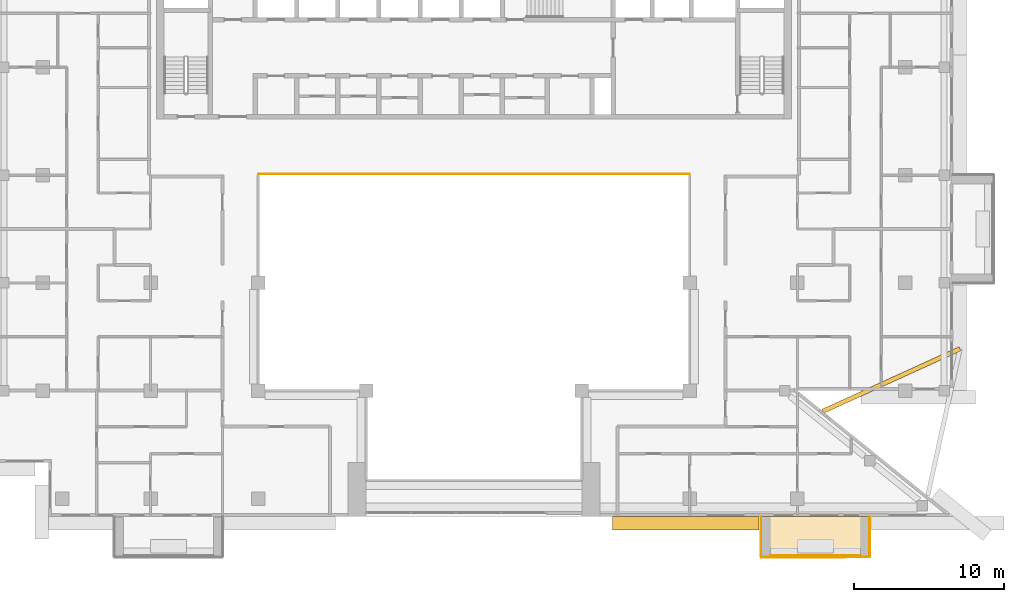
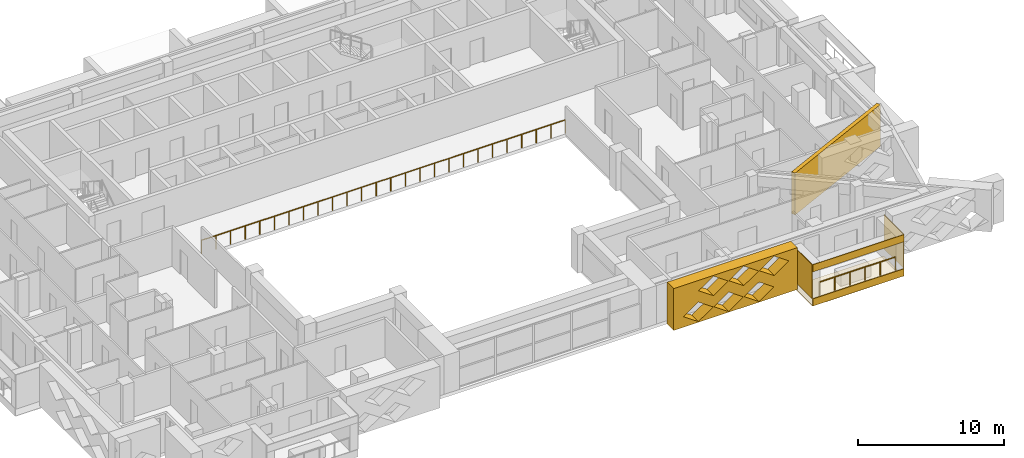
# One storey, part 15 of 19: 7 coverings, 2 railings.
"""IFC4 building model written with IfcOpenShell, lengths in metres."""

from ifc_helpers import new_model, si_unit, direction, frame, origin, origin_2d, place, context, subcontext, project, spatial, polyline, circle, outline, extrude, material, layer, layer_set, type_object, element, save


model = new_model("IFC4")

# Units and contexts
model_context = context("Model", 3, precision=1e-05, world=origin(), true_north=direction((0.0, 1.0)))
body_context = subcontext(model_context, "Body", "Model", "MODEL_VIEW")
ifc_project = project(units=[si_unit("LENGTHUNIT", "METRE"), si_unit("AREAUNIT", "SQUARE_METRE"), si_unit("VOLUMEUNIT", "CUBIC_METRE"), si_unit("PLANEANGLEUNIT", "RADIAN"), si_unit("MASSUNIT", "GRAM", prefix="KILO")], contexts=[model_context])

# Site, building, storey
site_placement = place(None, origin())
site = spatial("IfcSite", under=ifc_project, at=site_placement, CompositionType="ELEMENT")
building_placement = place(site_placement, origin())
building = spatial("IfcBuilding", under=site, at=building_placement, Name="Saffron Iwan Residences", CompositionType="ELEMENT")
storey_placement = place(building_placement, frame((0.0, 0.0, 218.5)))
storey = spatial("IfcBuildingStorey", under=building, at=storey_placement, Name="L58", CompositionType="ELEMENT", Elevation=218.5)

# Railings
ifc_material_1 = material(Name="Stainless steel 316", Category="steel")
railing_type_1 = type_object("IfcRailingType", Name="Atrium guard 1150", PredefinedType="GUARDRAIL", material=ifc_material_1)
railing_1_placement = place(storey_placement, frame((36.0, 62.47509765625, 0.0)))
element("IfcRailing", 1, at=railing_1_placement, inside=storey, type_object=railing_type_1, Name="Atrium guard L58", PredefinedType="GUARDRAIL", context=body_context, shape_type="SweptSolid", body=[
    extrude(circle(Radius=0.02392578125, at=origin_2d()), frame((0.0, 0.0, 1.1259765625), z_axis=(1.0, 0.0, 0.0), x_axis=(0.0, 1.0, 0.0)), (0.0, 0.0, 1.0), 28.800048828125),
    extrude(circle(Radius=0.02099609375, at=origin_2d()), origin(), (0.0, 0.0, 1.0), 1.101806640625),
    extrude(circle(Radius=0.02099609375, at=origin_2d()), frame((1.152099609375, 0.0, 0.0)), (0.0, 0.0, 1.0), 1.101806640625),
    extrude(circle(Radius=0.02099609375, at=origin_2d()), frame((2.303955078125, 0.0, 0.0)), (0.0, 0.0, 1.0), 1.101806640625),
    extrude(circle(Radius=0.02099609375, at=origin_2d()), frame((3.4560546875, 0.0, 0.0)), (0.0, 0.0, 1.0), 1.101806640625),
    extrude(circle(Radius=0.02099609375, at=origin_2d()), frame((4.60791015625, 0.0, 0.0)), (0.0, 0.0, 1.0), 1.101806640625),
    extrude(circle(Radius=0.02099609375, at=origin_2d()), frame((5.760009765625, 0.0, 0.0)), (0.0, 0.0, 1.0), 1.101806640625),
    extrude(circle(Radius=0.02099609375, at=origin_2d()), frame((6.912109375, 0.0, 0.0)), (0.0, 0.0, 1.0), 1.101806640625),
    extrude(circle(Radius=0.02099609375, at=origin_2d()), frame((8.06396484375, 0.0, 0.0)), (0.0, 0.0, 1.0), 1.101806640625),
    extrude(circle(Radius=0.02099609375, at=origin_2d()), frame((9.216064453125, 0.0, 0.0)), (0.0, 0.0, 1.0), 1.101806640625),
    extrude(circle(Radius=0.02099609375, at=origin_2d()), frame((10.367919921875, 0.0, 0.0)), (0.0, 0.0, 1.0), 1.101806640625),
    extrude(circle(Radius=0.02099609375, at=origin_2d()), frame((11.52001953125, 0.0, 0.0)), (0.0, 0.0, 1.0), 1.101806640625),
    extrude(circle(Radius=0.02099609375, at=origin_2d()), frame((12.672119140625, 0.0, 0.0)), (0.0, 0.0, 1.0), 1.101806640625),
    extrude(circle(Radius=0.02099609375, at=origin_2d()), frame((13.823974609375, 0.0, 0.0)), (0.0, 0.0, 1.0), 1.101806640625),
    extrude(circle(Radius=0.02099609375, at=origin_2d()), frame((14.97607421875, 0.0, 0.0)), (0.0, 0.0, 1.0), 1.101806640625),
    extrude(circle(Radius=0.02099609375, at=origin_2d()), frame((16.1279296875, 0.0, 0.0)), (0.0, 0.0, 1.0), 1.101806640625),
    extrude(circle(Radius=0.02099609375, at=origin_2d()), frame((17.280029296875, 0.0, 0.0)), (0.0, 0.0, 1.0), 1.101806640625),
    extrude(circle(Radius=0.02099609375, at=origin_2d()), frame((18.43212890625, 0.0, 0.0)), (0.0, 0.0, 1.0), 1.101806640625),
    extrude(circle(Radius=0.02099609375, at=origin_2d()), frame((19.583984375, 0.0, 0.0)), (0.0, 0.0, 1.0), 1.101806640625),
    extrude(circle(Radius=0.02099609375, at=origin_2d()), frame((20.736083984375, 0.0, 0.0)), (0.0, 0.0, 1.0), 1.101806640625),
    extrude(circle(Radius=0.02099609375, at=origin_2d()), frame((21.887939453125, 0.0, 0.0)), (0.0, 0.0, 1.0), 1.101806640625),
    extrude(circle(Radius=0.02099609375, at=origin_2d()), frame((23.0400390625, 0.0, 0.0)), (0.0, 0.0, 1.0), 1.101806640625),
    extrude(circle(Radius=0.02099609375, at=origin_2d()), frame((24.192138671875, 0.0, 0.0)), (0.0, 0.0, 1.0), 1.101806640625),
    extrude(circle(Radius=0.02099609375, at=origin_2d()), frame((25.343994140625, 0.0, 0.0)), (0.0, 0.0, 1.0), 1.101806640625),
    extrude(circle(Radius=0.02099609375, at=origin_2d()), frame((26.49609375, 0.0, 0.0)), (0.0, 0.0, 1.0), 1.101806640625),
    extrude(circle(Radius=0.02099609375, at=origin_2d()), frame((27.64794921875, 0.0, 0.0)), (0.0, 0.0, 1.0), 1.101806640625),
    extrude(circle(Radius=0.02099609375, at=origin_2d()), frame((28.800048828125, 0.0, 0.0)), (0.0, 0.0, 1.0), 1.101806640625),
])
railing_type_2 = type_object("IfcRailingType", Name="BALCONY GUARD 1150", PredefinedType="GUARDRAIL", material=ifc_material_1)
railing_2_placement = place(storey_placement, frame((70.199951171875, 36.97509765625, 0.0)))
element("IfcRailing", 2, at=railing_2_placement, inside=storey, type_object=railing_type_2, Name="Balcony guard L58 11-1", PredefinedType="GUARDRAIL", context=body_context, shape_type="SweptSolid", body=[
    extrude(circle(Radius=0.02392578125, at=origin_2d()), frame((0.0, 0.0, 1.1259765625), z_axis=(1.0, 0.0, 0.0), x_axis=(0.0, 1.0, 0.0)), (0.0, 0.0, 1.0), 6.0),
    extrude(circle(Radius=0.02099609375, at=origin_2d()), origin(), (0.0, 0.0, 1.0), 1.101806640625),
    extrude(circle(Radius=0.02099609375, at=origin_2d()), frame((1.199951171875, 0.0, 0.0)), (0.0, 0.0, 1.0), 1.101806640625),
    extrude(circle(Radius=0.02099609375, at=origin_2d()), frame((2.39990234375, 0.0, 0.0)), (0.0, 0.0, 1.0), 1.101806640625),
    extrude(circle(Radius=0.02099609375, at=origin_2d()), frame((3.60009765625, 0.0, 0.0)), (0.0, 0.0, 1.0), 1.101806640625),
    extrude(circle(Radius=0.02099609375, at=origin_2d()), frame((4.800048828125, 0.0, 0.0)), (0.0, 0.0, 1.0), 1.101806640625),
    extrude(circle(Radius=0.02099609375, at=origin_2d()), frame((6.0, 0.0, 0.0)), (0.0, 0.0, 1.0), 1.101806640625),
])

# Coverings
ifc_material_2 = material(Name="Precast concrete C40/50 white painted", Category="concrete")
ifc_layer_1 = layer(ifc_material_2, 0.050048828125)
ifc_layer_set_1 = layer_set([ifc_layer_1], Name="Precast concrete C40/50 white painted")
covering_type_1 = type_object("IfcCoveringType", Name="FRAME SKIN PRECAST WHITE 50", PredefinedType="CLADDING", material=ifc_layer_set_1)
for number, where, name in (
    (3, (0.0, 0.0, -0.60009765625), "Frame skin slab edge L58 11-1"),
    (4, (0.0, 0.0, 2.25), "Frame skin fascia L58 11-1"),
):
    element("IfcCovering", number, at=place(storey_placement, frame(where)), inside=storey, type_object=covering_type_1, Name=name, PredefinedType="CLADDING", context=body_context, shape_type="SweptSolid", body=[
        extrude(outline(polyline([(69.60009765625, 36.85009765625), (76.800048828125, 36.85009765625), (76.800048828125, 36.89990234375), (69.60009765625, 36.89990234375), (69.60009765625, 36.85009765625)])), origin(), (0.0, 0.0, 1.0), 0.60009765625),
    ])
covering_1_placement = place(storey_placement, frame((0.0, 0.0, -0.64990234375)))
element("IfcCovering", 5, at=covering_1_placement, inside=storey, type_object=covering_type_1, Name="Frame skin soffit L58 11-1", PredefinedType="CLADDING", context=body_context, shape_type="SweptSolid", body=[
    extrude(outline(polyline([(69.60009765625, 36.89990234375), (76.800048828125, 36.89990234375), (76.800048828125, 39.60009765625), (69.60009765625, 39.60009765625), (69.60009765625, 36.89990234375)])), origin(), (0.0, 0.0, 1.0), 0.0498046875),
])
covering_2_placement = place(storey_placement, origin())
element("IfcCovering", 6, at=covering_2_placement, inside=storey, type_object=covering_type_1, Name="Frame skin fin L58 11-1a", PredefinedType="CLADDING", context=body_context, shape_type="SweptSolid", body=[
    extrude(outline(polyline([(69.550048828125, 36.89990234375), (69.60009765625, 36.89990234375), (69.60009765625, 39.60009765625), (69.550048828125, 39.60009765625), (69.550048828125, 36.89990234375)])), origin(), (0.0, 0.0, 1.0), 2.85009765625),
])
covering_3_placement = place(storey_placement, origin())
element("IfcCovering", 7, at=covering_3_placement, inside=storey, type_object=covering_type_1, Name="Frame skin fin L58 11-1b", PredefinedType="CLADDING", context=body_context, shape_type="SweptSolid", body=[
    extrude(outline(polyline([(76.800048828125, 36.89990234375), (76.85009765625, 36.89990234375), (76.85009765625, 39.60009765625), (76.800048828125, 39.60009765625), (76.800048828125, 36.89990234375)])), origin(), (0.0, 0.0, 1.0), 2.85009765625),
])
ifc_material_3 = material(Name="Precast concrete C40/50", Category="concrete")
covering_type_2 = type_object("IfcCoveringType", Name="OUTER SKIN LATTICE SCREEN", PredefinedType="CLADDING", material=ifc_material_3)
covering_4_placement = place(storey_placement, frame((59.64990234375, 39.60009765625, -0.280029296875), z_axis=(0.0, -1.0, 0.0), x_axis=(1.0, 0.0, 0.0)))
element("IfcCovering", 8, at=covering_4_placement, inside=storey, type_object=covering_type_2, Name="OUTER SKIN lattice screen L58 F11.2", PredefinedType="CLADDING", context=body_context, shape_type="SweptSolid", body=[
    extrude(outline(polyline([(0.0, 0.0), (9.800048828125, 0.0), (9.800048828125, 3.5), (0.0, 3.5), (0.0, 0.0)]), holes=[polyline([(0.77001953125, 0.875), (1.949951171875, 0.06005859375), (3.1298828125, 0.875), (1.949951171875, 1.68994140625), (0.77001953125, 0.875)]), polyline([(3.169921875, 0.875), (4.35009765625, 0.06005859375), (5.530029296875, 0.875), (4.35009765625, 1.68994140625), (3.169921875, 0.875)]), polyline([(5.570068359375, 0.875), (6.75, 0.06005859375), (7.929931640625, 0.875), (6.75, 1.68994140625), (5.570068359375, 0.875)]), polyline([(1.969970703125, 2.625), (3.14990234375, 1.81005859375), (4.330078125, 2.625), (3.14990234375, 3.43994140625), (1.969970703125, 2.625)]), polyline([(4.3701171875, 2.625), (5.550048828125, 1.81005859375), (6.72998046875, 2.625), (5.550048828125, 3.43994140625), (4.3701171875, 2.625)]), polyline([(6.77001953125, 2.625), (7.949951171875, 1.81005859375), (9.1298828125, 2.625), (7.949951171875, 3.43994140625), (6.77001953125, 2.625)])]), origin(), (0.0, 0.0, 1.0), 0.900146484375),
])
ifc_layer_2 = layer(ifc_material_2, 0.300048828125)
ifc_layer_set_2 = layer_set([ifc_layer_2], Name="Precast concrete C40/50 white painted")
covering_type_3 = type_object("IfcCoveringType", Name="PROW NOSE BLADE PRECAST WHITE", PredefinedType="CLADDING", material=ifc_layer_set_2)
covering_5_placement = place(storey_placement, frame((0.0, 0.0, -0.280029296875)))
element("IfcCovering", 9, at=covering_5_placement, inside=storey, type_object=covering_type_3, Name="Prow nose blade L58 b", PredefinedType="CLADDING", context=body_context, shape_type="SweptSolid", body=[
    extrude(outline(polyline([(73.761474609375, 46.490966796875), (82.917236328125, 50.6650390625), (82.792724609375, 50.93798828125), (73.636962890625, 46.763916015625), (73.761474609375, 46.490966796875)])), origin(), (0.0, 0.0, 1.0), 3.5),
])

save(model, "model.ifc")
